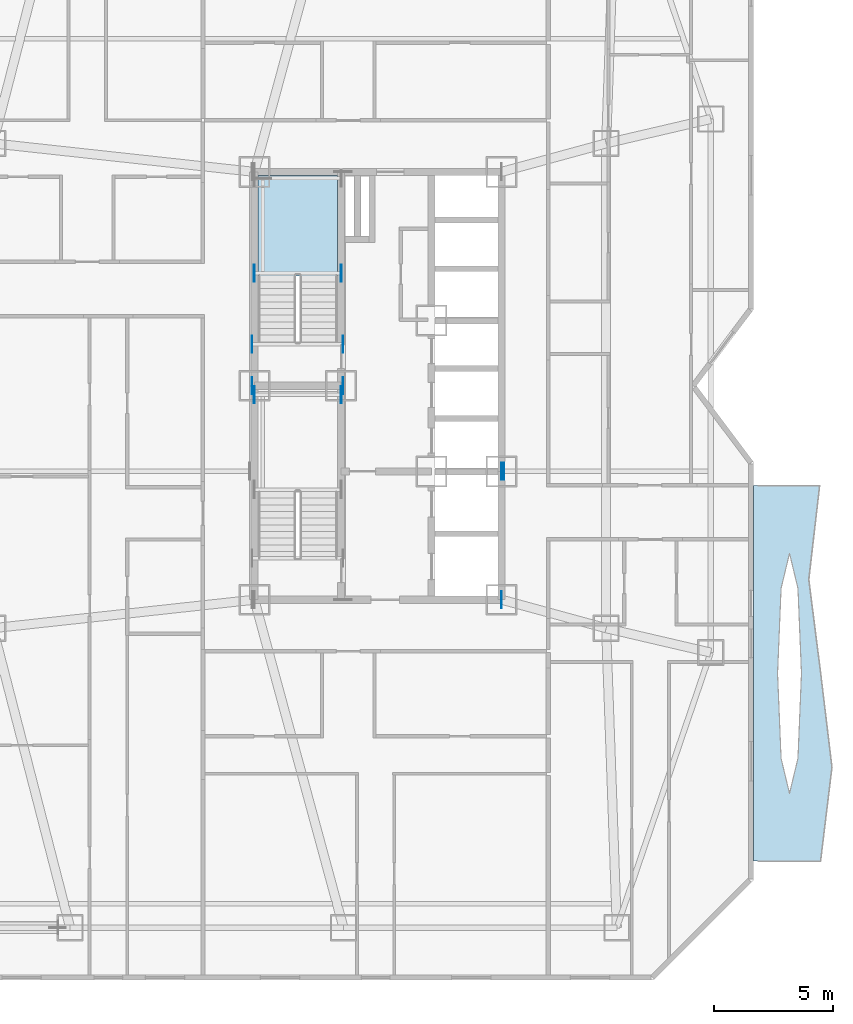
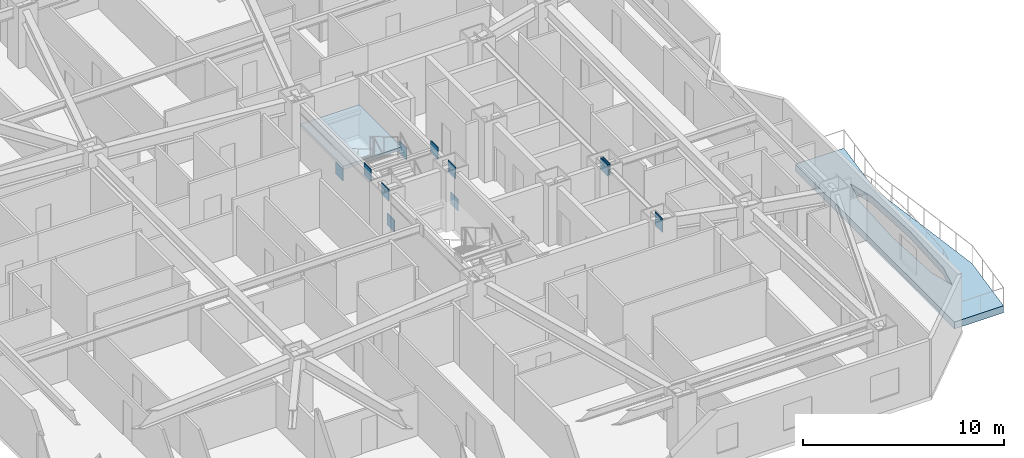
# One storey, part 4 of 16: 12 plates, 2 slabs, 1 element without a shape of its own.
"""IFC4 building model written with IfcOpenShell, lengths in metres."""

from ifc_helpers import new_model, si_unit, direction, frame, origin, origin_2d, place, context, subcontext, project, spatial, polyline, rectangle, outline, extrude, material, layer, layer_set, type_object, element, aggregate, save


model = new_model("IFC4")

# Units and contexts
model_context = context("Model", 3, precision=1e-05, world=origin(), true_north=direction((0.0, 1.0)))
body_context = subcontext(model_context, "Body", "Model", "MODEL_VIEW")
ifc_project = project(units=[si_unit("LENGTHUNIT", "METRE"), si_unit("AREAUNIT", "SQUARE_METRE"), si_unit("VOLUMEUNIT", "CUBIC_METRE"), si_unit("PLANEANGLEUNIT", "RADIAN"), si_unit("MASSUNIT", "GRAM", prefix="KILO")], contexts=[model_context])

# Site, building, storey
site_placement = place(None, origin())
site = spatial("IfcSite", under=ifc_project, at=site_placement, CompositionType="ELEMENT")
building_placement = place(site_placement, origin())
building = spatial("IfcBuilding", under=site, at=building_placement, Name="Khamvora Tower", CompositionType="ELEMENT")
storey_placement = place(building_placement, frame((0.0, 0.0, 55.199951171875)))
storey = spatial("IfcBuildingStorey", under=building, at=storey_placement, Name="L13", CompositionType="ELEMENT", Elevation=55.199951171875)

# Plates
ifc_material_1 = material(Name="Steel S460", Category="steel")
ifc_layer_1 = layer(ifc_material_1, 0.034912109375)
ifc_layer_set_1 = layer_set([ifc_layer_1], Name="Steel S460")
plate_type = type_object("IfcPlateType", Name="PL-EMB-35", PredefinedType="SHEET", material=ifc_layer_set_1)
for number, where, z_axis, x_axis, name in (
    (1, (29.0, 27.6298828125, 1.13427734375), (0.0, 0.0, 1.0), (1.0, 0.0, 0.0), "L13 core shear wall cast-in embed plate 0396"),
    (2, (32.64990234375, 27.6298828125, 1.13427734375), (0.0, 0.0, 1.0), (1.0, 0.0, 0.0), "L13 core shear wall cast-in embed plate 0397"),
    (3, (29.0, 32.735107421875, 1.13427734375), (0.0, 0.0, 1.0), (1.0, 0.0, 0.0), "L13 core shear wall cast-in embed plate 0398"),
    (4, (32.64990234375, 32.735107421875, 1.13427734375), (0.0, 0.0, 1.0), (1.0, 0.0, 0.0), "L13 core shear wall cast-in embed plate 0399"),
    (5, (39.39990234375, 19.0, 2.68408203125), (0.0, 0.0, 1.0), (1.0, 0.0, 0.0), "L13 core shear wall cast-in embed plate 0405"),
    (6, (28.89990234375, 28.0, 2.80419921875), (0.0, 0.0, 1.0), (1.0, 0.0, 0.0), "L13 core shear wall cast-in embed plate 0408"),
    (7, (32.72998046875, 28.0, 2.80419921875), (0.0, 0.0, 1.0), (1.0, 0.0, 0.0), "L13 core shear wall cast-in embed plate 0411"),
    (8, (39.39990234375, 19.0, 2.80419921875), (0.0, 0.0, 1.0), (1.0, 0.0, 0.0), "L13 core shear wall cast-in embed plate 0413"),
    (9, (39.39990234375, 24.39990234375, 2.80419921875), (0.0, 0.0, 1.0), (1.0, 0.0, 0.0), "L13 core shear wall cast-in embed plate 0414"),
    (10, (28.89990234375, 29.75, 2.94384765625), (0.0, 0.0, 1.0), (1.0, 0.0, 0.0), "L13 core shear wall cast-in embed plate 0418"),
    (11, (32.72998046875, 29.75, 2.94384765625), (0.0, 0.0, 1.0), (1.0, 0.0, 0.0), "L13 core shear wall cast-in embed plate 0419"),
    (12, (39.4990234375, 24.39990234375, 2.8388671875), (0.0, 0.0, 1.0), (1.0, 0.0, 0.0), "L13 core shear wall cast-in embed plate 0421"),
):
    element("IfcPlate", number, at=place(storey_placement, frame(where, z_axis=z_axis, x_axis=x_axis)), inside=storey, type_object=plate_type, Name=name, PredefinedType="SHEET", context=body_context, shape_type="SweptSolid", body=[
        extrude(rectangle(XDim=0.034912109375, YDim=0.719970703125, at=origin_2d()), origin(), (0.0, 0.0, 1.0), 0.719970703125),
    ])

# Slab
ifc_material_2 = material(Name="Concrete C40/50", Category="concrete")
ifc_layer_2 = layer(ifc_material_2, 0.419921875)
ifc_layer_set_2 = layer_set([ifc_layer_2], Name="Concrete C40/50")
slab_type_1 = type_object("IfcSlabType", Name="SLB-GRD-420", PredefinedType="FLOOR", material=ifc_layer_set_2)
slab_1_placement = place(storey_placement, frame((0.0, 0.0, -0.419921875)))
element("IfcSlab", 13, at=slab_1_placement, inside=storey, type_object=slab_type_1, Name="L13 external lens gallery slab EL1", PredefinedType="FLOOR", context=body_context, shape_type="SweptSolid", body=[
    extrude(outline(polyline([(52.820068359375, 8.0), (53.300048828125, 11.949951171875), (52.824951171875, 15.89990234375), (52.324951171875, 19.85009765625), (52.781005859375, 23.800048828125), (50.0, 23.800048828125), (50.0, 8.0), (52.820068359375, 8.0)]), holes=[polyline([(52.01904296875, 15.89990234375), (51.87109375, 19.47509765625), (51.514892578125, 20.9560546875), (51.158935546875, 19.47509765625), (51.010986328125, 15.89990234375), (51.158935546875, 12.324951171875), (51.514892578125, 10.843994140625), (51.87109375, 12.324951171875), (52.01904296875, 15.89990234375)])]), origin(), (0.0, 0.0, 1.0), 0.419921875),
])

# Stair, slab
stair_type = type_object("IfcStairType", Name="STR-ST-02", PredefinedType="HALF_TURN_STAIR", material=ifc_material_2)
stair_placement = place(storey_placement, origin())
stair = element("IfcStair", 14, at=stair_placement, inside=storey, type_object=stair_type, Name="L13 North Tower Exit Stair ST-02", PredefinedType="HALF_TURN_STAIR")
ifc_layer_3 = layer(ifc_material_2, 0.199951171875)
ifc_layer_set_3 = layer_set([ifc_layer_3], Name="Concrete C40/50")
slab_type_2 = type_object("IfcSlabType", Name="SLB-LND-200", PredefinedType="LANDING", material=ifc_layer_set_3)
slab_2_placement = place(storey_placement, frame((0.0, 0.0, 1.625)))
slab_2 = element("IfcSlab", 15, at=slab_2_placement, type_object=slab_type_2, Name="ST-02 landing 1", PredefinedType="LANDING", context=body_context, shape_type="SweptSolid", body=[
    extrude(outline(polyline([(32.5, 32.614990234375), (32.5, 36.85009765625), (29.14990234375, 36.85009765625), (29.14990234375, 32.614990234375), (32.5, 32.614990234375)])), origin(), (0.0, 0.0, 1.0), 0.199951171875),
])
aggregate(stair, [slab_2])

save(model, "model.ifc")
